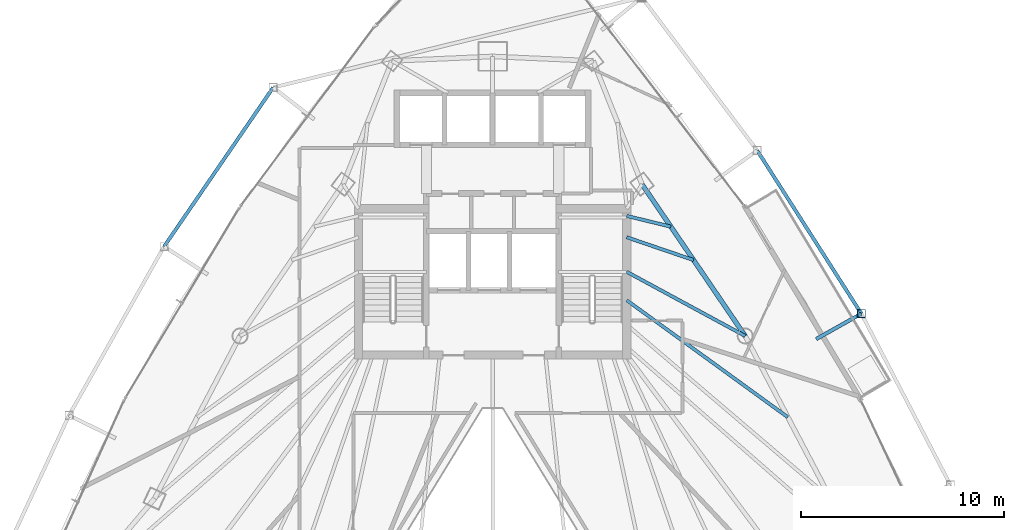
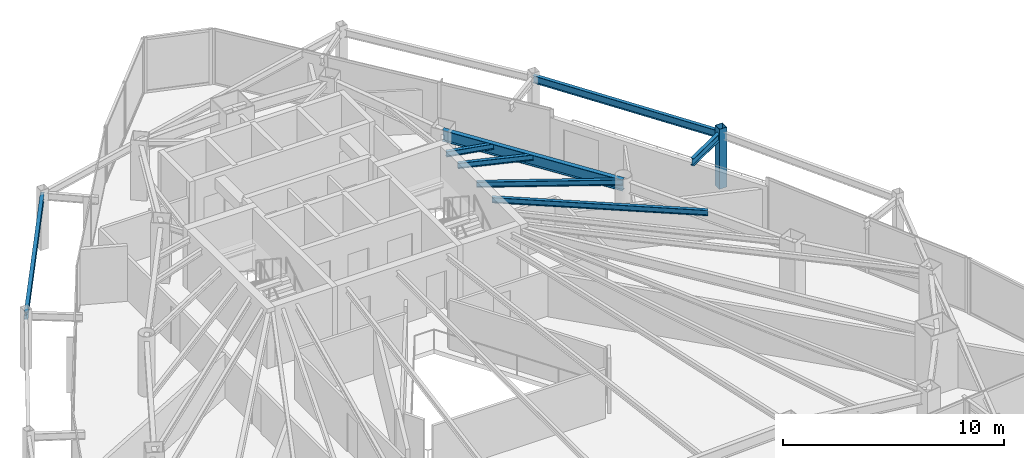
# One storey, part 19 of 31: 8 beams, 1 member.
"""IFC4 building model written with IfcOpenShell, lengths in metres."""

import ifcopenshell
import ifcopenshell.guid

model = None  # the IFC model being written
_history = None  # IfcOwnerHistory: only IFC2X3 demands one
_inside = {}  # id of a spatial element -> (the spatial element, [elements in it])
_under = {}  # id of a project, library or spatial element -> (it, [spatial elements below it])
_declared = {}  # id of a project -> (the project, [libraries it declares])
_typed = {}  # id of a type object -> (the type object, [elements of that type])
_made_of = {}  # id of a material, layer set ... -> (it, [elements and type objects made of it])


def new_model(schema):
    """Start an empty IFC model of exactly this schema.

    Asked for "IFC4X3", IfcOpenShell would pick the latest addendum, in which some entities
    have other attributes; the version numbers below select the first issue.
    IFC2X3 requires an IfcOwnerHistory on every rooted entity: one is made here for all.
    """
    global model, _history
    if schema == "IFC4X3":
        model = ifcopenshell.file(schema_version=(4, 3, 0, 0))
    else:
        model = ifcopenshell.file(schema=schema)
    _inside.clear()
    _under.clear()
    _declared.clear()
    _typed.clear()
    _made_of.clear()
    _history = None
    if model.schema == "IFC2X3":
        org = make("IfcOrganization", Name="unknown")
        user = make(
            "IfcPersonAndOrganization",
            ThePerson=make("IfcPerson", FamilyName="unknown"),
            TheOrganization=org,
        )
        app = make(
            "IfcApplication",
            ApplicationDeveloper=org,
            Version="unknown",
            ApplicationFullName="unknown",
            ApplicationIdentifier="unknown",
        )
        _history = make(
            "IfcOwnerHistory",
            OwningUser=user,
            OwningApplication=app,
            ChangeAction="ADDED",
            CreationDate=0,
        )
    return model


def make(cls, **values):
    """One entity of the class cls with the attributes given. An attribute that is None is left unset."""
    return model.create_entity(
        cls, **{name: value for name, value in values.items() if value is not None}
    )


def rooted(cls, **values):
    """An entity with a GlobalId (a new one), such as an element, a storey or a relation."""
    return make(cls, GlobalId=ifcopenshell.guid.new(), OwnerHistory=_history, **values)


def si_unit(unit_type, name, prefix=None):
    """IfcSIUnit, for example si_unit("LENGTHUNIT", "METRE", prefix="MILLI")."""
    return make("IfcSIUnit", UnitType=unit_type, Prefix=prefix, Name=name)


def assignment(units):
    """IfcUnitAssignment: the units of a project."""
    return None if units is None else make("IfcUnitAssignment", Units=units)


def point(xyz):
    """IfcCartesianPoint."""
    return None if xyz is None else make("IfcCartesianPoint", Coordinates=xyz)


def direction(xyz):
    """IfcDirection."""
    return None if xyz is None else make("IfcDirection", DirectionRatios=xyz)


def frame(location, z_axis=None, x_axis=None):
    """IfcAxis2Placement3D, a coordinate frame: its origin and axes. An axis left out is left unset."""
    return make(
        "IfcAxis2Placement3D",
        Location=point(location),
        Axis=direction(z_axis),
        RefDirection=direction(x_axis),
    )


def frame_2d(location, x_axis=None):
    """IfcAxis2Placement2D, a coordinate frame in the plane: its origin and x axis."""
    return make(
        "IfcAxis2Placement2D", Location=point(location), RefDirection=direction(x_axis)
    )


def origin():
    """The frame at (0, 0, 0) with its axes left unset."""
    return frame((0.0, 0.0, 0.0))


def origin_2d():
    """The frame at (0, 0) in the plane with its x axis left unset."""
    return frame_2d((0.0, 0.0))


def place(relative_to, where):
    """IfcLocalPlacement: puts the frame where relative to a parent placement (None: the world)."""
    return make(
        "IfcLocalPlacement", PlacementRelTo=relative_to, RelativePlacement=where
    )


def context(
    kind, dimensions, precision=None, world=None, true_north=None, identifier=None
):
    """IfcGeometricRepresentationContext, for example the 3D "Model" context."""
    return make(
        "IfcGeometricRepresentationContext",
        ContextIdentifier=identifier,
        ContextType=kind,
        CoordinateSpaceDimension=dimensions,
        Precision=precision,
        WorldCoordinateSystem=world,
        TrueNorth=true_north,
    )


def subcontext(parent, identifier, kind, view, scale=None):
    """IfcGeometricRepresentationSubContext, for example "Body" below "Model"."""
    return make(
        "IfcGeometricRepresentationSubContext",
        ContextIdentifier=identifier,
        ContextType=kind,
        ParentContext=parent,
        TargetScale=scale,
        TargetView=view,
    )


def project(units=None, contexts=None):
    """IfcProject with its units and contexts."""
    return rooted(
        "IfcProject",
        Name="project",
        RepresentationContexts=contexts,
        UnitsInContext=assignment(units),
    )


def spatial(cls, under=None, at=None, **own):
    """A site, building, storey or space (cls), placed at a placement, below another one or the project."""
    s = rooted(cls, ObjectPlacement=at, **own)
    if under is not None:
        _under.setdefault(under.id(), (under, []))[1].append(s)
    return s


def profile(cls, at=None, kind="AREA", **sizes):
    """A parametric profile (cls). Its sizes go by their IFC names, for example OverallWidth=200.0."""
    return make(cls, ProfileType=kind, Position=at, **sizes)


def hollow_rectangle(**sizes):
    """IfcRectangleHollowProfileDef."""
    return profile("IfcRectangleHollowProfileDef", **sizes)


def i_section(**sizes):
    """IfcIShapeProfileDef."""
    return profile("IfcIShapeProfileDef", **sizes)


def extrude(swept, where, along, depth):
    """IfcExtrudedAreaSolid: the profile swept, set in the frame where, extruded along a direction by depth."""
    return make(
        "IfcExtrudedAreaSolid",
        SweptArea=swept,
        Position=where,
        ExtrudedDirection=direction(along),
        Depth=depth,
    )


def shape(context_of_items, identifier, shape_type, items):
    """IfcShapeRepresentation: the items that make up one representation, for example the "Body"."""
    return make(
        "IfcShapeRepresentation",
        ContextOfItems=context_of_items,
        RepresentationIdentifier=identifier,
        RepresentationType=shape_type,
        Items=items,
    )


def material(Name=None, Category=None):
    """IfcMaterial."""
    return make("IfcMaterial", Name=Name, Category=Category)


def material_profile(
    of_material, cross_section, Name=None, Category=None, Priority=None
):
    """IfcMaterialProfile: a cross section and its material."""
    return make(
        "IfcMaterialProfile",
        Name=Name,
        Material=of_material,
        Profile=cross_section,
        Priority=Priority,
        Category=Category,
    )


def profile_set(profiles, Name=None, composite=None):
    """IfcMaterialProfileSet."""
    return make(
        "IfcMaterialProfileSet",
        Name=Name,
        MaterialProfiles=profiles,
        CompositeProfile=composite,
    )


def made_of(thing, what):
    """Note that an element or type object is made of a material, layer set ...; save() writes the relation."""
    if what is not None:
        _made_of.setdefault(what.id(), (what, []))[1].append(thing)
    return thing


def type_object(cls, material=None, **own):
    """A type object (cls), such as IfcWallType, which elements share."""
    return made_of(rooted(cls, **own), material)


def element(
    cls,
    number,
    at=None,
    inside=None,
    cuts=None,
    type_object=None,
    material=None,
    context=None,
    identifier="Body",
    shape_type=None,
    held_by="IfcProductDefinitionShape",
    body=None,
    shapes=None,
    **own,
):
    """One element of the class cls, such as IfcWall. Its Tag is "e" and its number.

    at: its placement. inside: the storey or other place that contains it. cuts: it is an
    opening in that element (IfcRelVoidsElement). A single representation is given by context,
    identifier, shape_type and body (its items); several are given by shapes. held_by: the class
    of the entity that holds the representations. save() writes the other relations.
    """
    e = rooted(cls, Tag="e%d" % number, ObjectPlacement=at, **own)
    if body is not None:
        shapes = [shape(context, identifier, shape_type, body)]
    if shapes is not None:
        e.Representation = make(held_by, Representations=shapes)
    if inside is not None:
        _inside.setdefault(inside.id(), (inside, []))[1].append(e)
    if cuts is not None:
        rooted(
            "IfcRelVoidsElement", RelatingBuildingElement=cuts, RelatedOpeningElement=e
        )
    if type_object is not None:
        _typed.setdefault(type_object.id(), (type_object, []))[1].append(e)
    return made_of(e, material)


def aggregate(whole, parts):
    """IfcRelAggregates: a whole, such as a stair, and the parts it consists of."""
    return rooted("IfcRelAggregates", RelatingObject=whole, RelatedObjects=parts)


def save(model, path):
    """Write the relations noted so far, then the file.

    IfcRelAggregates (storeys below a building ...), IfcRelContainedInSpatialStructure (elements
    in a storey), IfcRelDefinesByType, IfcRelAssociatesMaterial and IfcRelDeclares: one each for
    every whole, place, type object, material and project.
    """
    for whole, parts in _under.values():
        aggregate(whole, parts)
    for where, things in _inside.values():
        rooted(
            "IfcRelContainedInSpatialStructure",
            RelatedElements=things,
            RelatingStructure=where,
        )
    for kind, things in _typed.values():
        rooted("IfcRelDefinesByType", RelatedObjects=things, RelatingType=kind)
    for what, things in _made_of.values():
        rooted("IfcRelAssociatesMaterial", RelatedObjects=things, RelatingMaterial=what)
    for by, libraries in _declared.values():
        rooted("IfcRelDeclares", RelatingContext=by, RelatedDefinitions=libraries)
    model.write(path)


model = new_model("IFC4")

# Units and contexts
model_context = context("Model", 3, precision=1e-05, world=origin(), true_north=direction((0.0, 1.0)))
body_context = subcontext(model_context, "Body", "Model", "MODEL_VIEW")
ifc_project = project(units=[si_unit("LENGTHUNIT", "METRE"), si_unit("AREAUNIT", "SQUARE_METRE"), si_unit("VOLUMEUNIT", "CUBIC_METRE"), si_unit("PLANEANGLEUNIT", "RADIAN"), si_unit("MASSUNIT", "GRAM", prefix="KILO")], contexts=[model_context])

# Site, building, storey
site_placement = place(None, origin())
site = spatial("IfcSite", under=ifc_project, at=site_placement, CompositionType="ELEMENT")
building_placement = place(site_placement, origin())
building = spatial("IfcBuilding", under=site, at=building_placement, Name="Orvanel Arch Residences", CompositionType="ELEMENT")
storey_placement = place(building_placement, frame((0.0, 0.0, 153.949951171875)))
storey = spatial("IfcBuildingStorey", under=building, at=storey_placement, Name="L43", CompositionType="ELEMENT", Elevation=153.949951171875)

# Beams
ifc_material_1 = material(Name="Structural steel AS/NZS 3679.1 Grade 300 (300 MPa)", Category="steel")
ifc_material_profile_1 = material_profile(ifc_material_1, i_section(OverallWidth=0.1650390625, OverallDepth=0.303955078125, WebThickness=0.006103515625, FlangeThickness=0.01025390625, at=origin_2d()), Name="310UB40.4")
ifc_profile_set_1 = profile_set([ifc_material_profile_1], Name="Structural steel AS/NZS 3679.1 Grade 300 (300 MPa)")
beam_type_1 = type_object("IfcBeamType", Name="BJ-310UB", PredefinedType="JOIST", material=ifc_profile_set_1)
beam_1_placement = place(storey_placement, frame((39.60009765625, 30.800048828125, 2.907958984375), z_axis=(0.87925534649, -0.476350748576, 0.0), x_axis=(0.476350748576, 0.87925534649, 0.0)))
element("IfcBeam", 1, at=beam_1_placement, inside=storey, type_object=beam_type_1, Name="L43 NE Wing Floor Joist", PredefinedType="JOIST", context=body_context, shape_type="SweptSolid", body=[
    extrude(i_section(OverallWidth=0.1650390625, OverallDepth=0.303955078125, WebThickness=0.006103515625, FlangeThickness=0.01025390625, at=origin_2d()), origin(), (0.0, 0.0, 1.0), 6.631591796875),
])
beam_2_placement = place(storey_placement, frame((39.60009765625, 32.5, 2.907958984375), z_axis=(0.9464126781, -0.322959815969, 0.0), x_axis=(0.322959815969, 0.9464126781, 0.0)))
element("IfcBeam", 2, at=beam_2_placement, inside=storey, type_object=beam_type_1, Name="L43 ENE Wing Floor Joist", PredefinedType="JOIST", context=body_context, shape_type="SweptSolid", body=[
    extrude(i_section(OverallWidth=0.1650390625, OverallDepth=0.303955078125, WebThickness=0.006103515625, FlangeThickness=0.01025390625, at=origin_2d()), origin(), (0.0, 0.0, 1.0), 3.477294921875),
])
beam_3_placement = place(storey_placement, frame((39.60009765625, 29.39990234375, 2.907958984375), z_axis=(0.809261403954, -0.587448704203, 0.0), x_axis=(0.587448704203, 0.809261403954, 0.0)))
element("IfcBeam", 3, at=beam_3_placement, inside=storey, type_object=beam_type_1, Name="L43 CTE Wing Floor Joist", PredefinedType="JOIST", context=body_context, shape_type="SweptSolid", body=[
    extrude(i_section(OverallWidth=0.1650390625, OverallDepth=0.303955078125, WebThickness=0.006103515625, FlangeThickness=0.01025390625, at=origin_2d()), origin(), (0.0, 0.0, 1.0), 9.80126953125),
])
beam_4_placement = place(storey_placement, frame((39.60009765625, 33.550048828125, 2.907958984375), z_axis=(0.971638471014, -0.236471312521, 0.0), x_axis=(0.236471312521, 0.971638471014, 0.0)))
element("IfcBeam", 4, at=beam_4_placement, inside=storey, type_object=beam_type_1, Name="L43 JADD4 Wing Floor Joist", PredefinedType="JOIST", context=body_context, shape_type="SweptSolid", body=[
    extrude(i_section(OverallWidth=0.1650390625, OverallDepth=0.303955078125, WebThickness=0.006103515625, FlangeThickness=0.01025390625, at=origin_2d()), origin(), (0.0, 0.0, 1.0), 2.2373046875),
])
ifc_material_profile_2 = material_profile(ifc_material_1, i_section(OverallWidth=0.177978515625, OverallDepth=0.406005859375, WebThickness=0.0078125, FlangeThickness=0.0126953125, at=origin_2d()), Name="410UB59.7")
ifc_profile_set_2 = profile_set([ifc_material_profile_2], Name="Structural steel AS/NZS 3679.1 Grade 300 (300 MPa)")
beam_type_2 = type_object("IfcBeamType", Name="OB-410UB-EXT", PredefinedType="SPANDREL", material=ifc_profile_set_2)
beam_5_placement = place(storey_placement, frame((22.205078125, 39.8720703125, 2.85693359375), z_axis=(-0.565734193371, -0.824587668142, 0.0), x_axis=(0.824587668142, -0.565734193371, 0.0)))
element("IfcBeam", 5, at=beam_5_placement, inside=storey, type_object=beam_type_2, Name="L43 Outer Perimeter Floor Ring Beam 01", PredefinedType="SPANDREL", context=body_context, shape_type="SweptSolid", body=[
    extrude(i_section(OverallWidth=0.177978515625, OverallDepth=0.406005859375, WebThickness=0.0078125, FlangeThickness=0.0126953125, at=origin_2d()), origin(), (0.0, 0.0, 1.0), 9.495849609375),
])
beam_6_placement = place(storey_placement, frame((48.926025390625, 27.489013671875, 2.85693359375), z_axis=(0.871803026856, 0.489856593673, 0.0), x_axis=(-0.489856593673, 0.871803026856, 0.0)))
element("IfcBeam", 6, at=beam_6_placement, inside=storey, type_object=beam_type_2, Name="L43 Outer Frame Radial Tie Beam 10", PredefinedType="SPANDREL", context=body_context, shape_type="SweptSolid", body=[
    extrude(i_section(OverallWidth=0.177978515625, OverallDepth=0.406005859375, WebThickness=0.0078125, FlangeThickness=0.0126953125, at=origin_2d()), origin(), (0.0, 0.0, 1.0), 2.5498046875),
])
beam_7_placement = place(storey_placement, frame((51.14892578125, 28.738037109375, 2.85693359375), z_axis=(-0.537974250415, 0.842961271881, 0.0), x_axis=(-0.842961271881, -0.537974250415, 0.0)))
element("IfcBeam", 7, at=beam_7_placement, inside=storey, type_object=beam_type_2, Name="L43 Outer Perimeter Floor Ring Beam 10", PredefinedType="SPANDREL", context=body_context, shape_type="SweptSolid", body=[
    extrude(i_section(OverallWidth=0.177978515625, OverallDepth=0.406005859375, WebThickness=0.0078125, FlangeThickness=0.0126953125, at=origin_2d()), origin(), (0.0, 0.0, 1.0), 9.5283203125),
])
ifc_material_profile_3 = material_profile(ifc_material_1, i_section(OverallWidth=0.22900390625, OverallDepth=0.612060546875, WebThickness=0.011962890625, FlangeThickness=0.01953125, at=origin_2d()), Name="610UB125")
ifc_profile_set_3 = profile_set([ifc_material_profile_3], Name="Structural steel AS/NZS 3679.1 Grade 300 (300 MPa)")
beam_type_3 = type_object("IfcBeamType", Name="SP-610UB", PredefinedType="SPANDREL", material=ifc_profile_set_3)
beam_8_placement = place(storey_placement, frame((45.430908203125, 27.64111328125, 2.754150390625), z_axis=(-0.562154793153, 0.827032035978, 0.0), x_axis=(-0.827032035978, -0.562154793153, 0.0)))
element("IfcBeam", 8, at=beam_8_placement, inside=storey, type_object=beam_type_3, Name="L43 Perimeter Spandrel Beam 12", PredefinedType="SPANDREL", context=body_context, shape_type="SweptSolid", body=[
    extrude(i_section(OverallWidth=0.22900390625, OverallDepth=0.612060546875, WebThickness=0.011962890625, FlangeThickness=0.01953125, at=origin_2d()), origin(), (0.0, 0.0, 1.0), 9.03466796875),
])

# Member
ifc_material_2 = material(Name="Structural steel AS/NZS 1163 C450L0 (Grade 450)", Category="steel")
ifc_material_profile_4 = material_profile(ifc_material_2, hollow_rectangle(XDim=0.39990234375, YDim=0.39990234375, WallThickness=0.01611328125, at=origin_2d()), Name="SHS400x400x16")
ifc_profile_set_4 = profile_set([ifc_material_profile_4], Name="Structural steel AS/NZS 1163 C450L0 (Grade 450)")
member_type = type_object("IfcMemberType", Name="ST-400SHS-EXT", PredefinedType="STRUT", material=ifc_profile_set_4)
member_placement = place(storey_placement, frame((51.14892578125, 28.738037109375, 0.0), z_axis=(0.0, 0.0, 1.0), x_axis=(1.0, 0.0, 0.0)))
element("IfcMember", 9, at=member_placement, inside=storey, type_object=member_type, Name="L43 Outer Perimeter Frame Post 10", PredefinedType="STRUT", context=body_context, shape_type="SweptSolid", body=[
    extrude(hollow_rectangle(XDim=0.39990234375, YDim=0.39990234375, WallThickness=0.01611328125, at=origin_2d()), origin(), (0.0, 0.0, 1.0), 3.300048828125),
])

save(model, "model.ifc")
